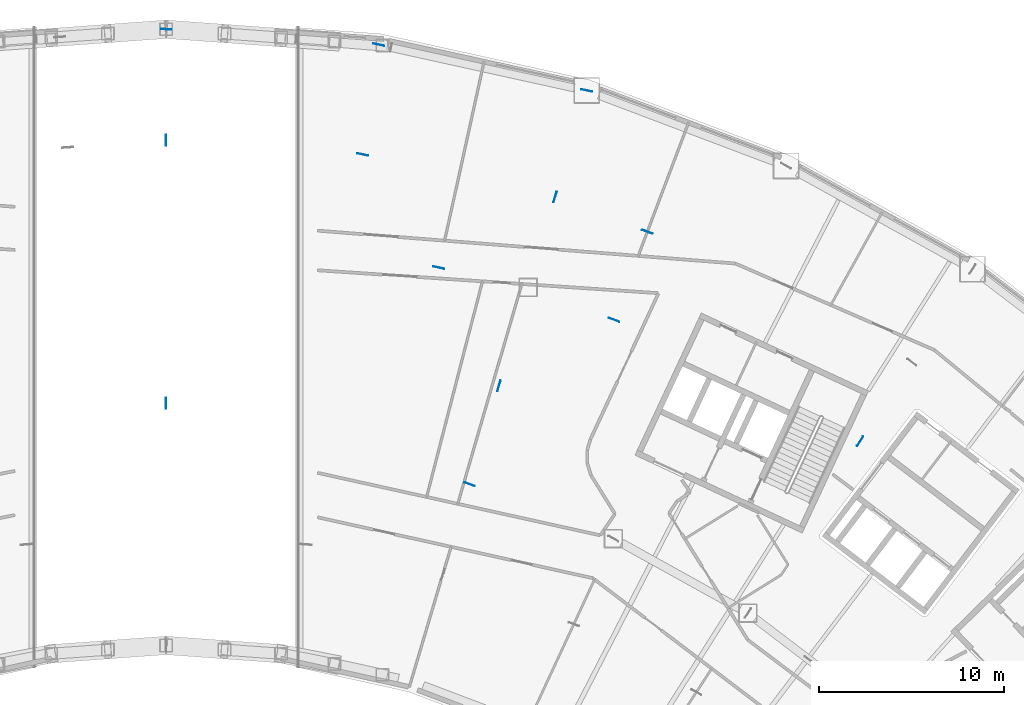
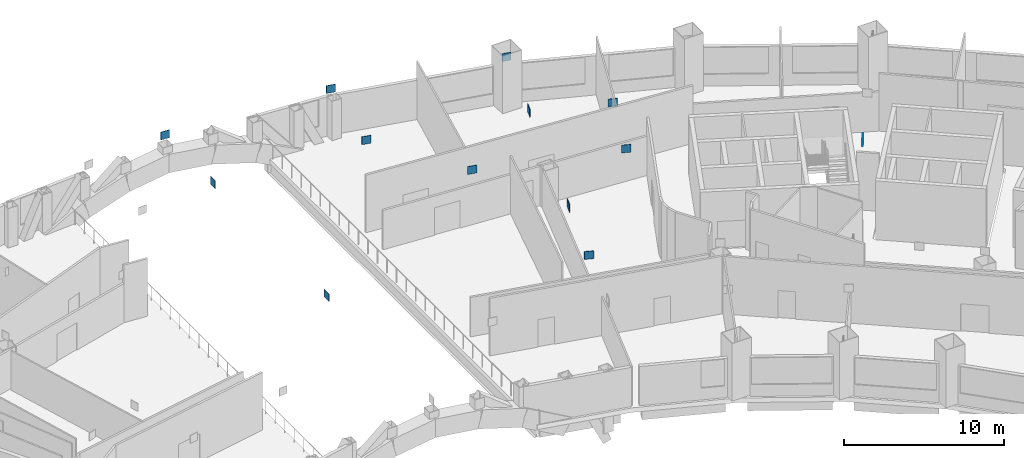
# One storey, part 21 of 24: 13 discrete accessories.
"""IFC4 building model written with IfcOpenShell, lengths in metres."""

import ifcopenshell
import ifcopenshell.guid

model = None  # the IFC model being written
_history = None  # IfcOwnerHistory: only IFC2X3 demands one
_inside = {}  # id of a spatial element -> (the spatial element, [elements in it])
_under = {}  # id of a project, library or spatial element -> (it, [spatial elements below it])
_declared = {}  # id of a project -> (the project, [libraries it declares])
_typed = {}  # id of a type object -> (the type object, [elements of that type])
_made_of = {}  # id of a material, layer set ... -> (it, [elements and type objects made of it])


def new_model(schema):
    """Start an empty IFC model of exactly this schema.

    Asked for "IFC4X3", IfcOpenShell would pick the latest addendum, in which some entities
    have other attributes; the version numbers below select the first issue.
    IFC2X3 requires an IfcOwnerHistory on every rooted entity: one is made here for all.
    """
    global model, _history
    if schema == "IFC4X3":
        model = ifcopenshell.file(schema_version=(4, 3, 0, 0))
    else:
        model = ifcopenshell.file(schema=schema)
    _inside.clear()
    _under.clear()
    _declared.clear()
    _typed.clear()
    _made_of.clear()
    _history = None
    if model.schema == "IFC2X3":
        org = make("IfcOrganization", Name="unknown")
        user = make(
            "IfcPersonAndOrganization",
            ThePerson=make("IfcPerson", FamilyName="unknown"),
            TheOrganization=org,
        )
        app = make(
            "IfcApplication",
            ApplicationDeveloper=org,
            Version="unknown",
            ApplicationFullName="unknown",
            ApplicationIdentifier="unknown",
        )
        _history = make(
            "IfcOwnerHistory",
            OwningUser=user,
            OwningApplication=app,
            ChangeAction="ADDED",
            CreationDate=0,
        )
    return model


def make(cls, **values):
    """One entity of the class cls with the attributes given. An attribute that is None is left unset."""
    return model.create_entity(
        cls, **{name: value for name, value in values.items() if value is not None}
    )


def rooted(cls, **values):
    """An entity with a GlobalId (a new one), such as an element, a storey or a relation."""
    return make(cls, GlobalId=ifcopenshell.guid.new(), OwnerHistory=_history, **values)


def si_unit(unit_type, name, prefix=None):
    """IfcSIUnit, for example si_unit("LENGTHUNIT", "METRE", prefix="MILLI")."""
    return make("IfcSIUnit", UnitType=unit_type, Prefix=prefix, Name=name)


def assignment(units):
    """IfcUnitAssignment: the units of a project."""
    return None if units is None else make("IfcUnitAssignment", Units=units)


def point(xyz):
    """IfcCartesianPoint."""
    return None if xyz is None else make("IfcCartesianPoint", Coordinates=xyz)


def direction(xyz):
    """IfcDirection."""
    return None if xyz is None else make("IfcDirection", DirectionRatios=xyz)


def frame(location, z_axis=None, x_axis=None):
    """IfcAxis2Placement3D, a coordinate frame: its origin and axes. An axis left out is left unset."""
    return make(
        "IfcAxis2Placement3D",
        Location=point(location),
        Axis=direction(z_axis),
        RefDirection=direction(x_axis),
    )


def frame_2d(location, x_axis=None):
    """IfcAxis2Placement2D, a coordinate frame in the plane: its origin and x axis."""
    return make(
        "IfcAxis2Placement2D", Location=point(location), RefDirection=direction(x_axis)
    )


def origin():
    """The frame at (0, 0, 0) with its axes left unset."""
    return frame((0.0, 0.0, 0.0))


def origin_2d():
    """The frame at (0, 0) in the plane with its x axis left unset."""
    return frame_2d((0.0, 0.0))


def place(relative_to, where):
    """IfcLocalPlacement: puts the frame where relative to a parent placement (None: the world)."""
    return make(
        "IfcLocalPlacement", PlacementRelTo=relative_to, RelativePlacement=where
    )


def context(
    kind, dimensions, precision=None, world=None, true_north=None, identifier=None
):
    """IfcGeometricRepresentationContext, for example the 3D "Model" context."""
    return make(
        "IfcGeometricRepresentationContext",
        ContextIdentifier=identifier,
        ContextType=kind,
        CoordinateSpaceDimension=dimensions,
        Precision=precision,
        WorldCoordinateSystem=world,
        TrueNorth=true_north,
    )


def subcontext(parent, identifier, kind, view, scale=None):
    """IfcGeometricRepresentationSubContext, for example "Body" below "Model"."""
    return make(
        "IfcGeometricRepresentationSubContext",
        ContextIdentifier=identifier,
        ContextType=kind,
        ParentContext=parent,
        TargetScale=scale,
        TargetView=view,
    )


def project(units=None, contexts=None):
    """IfcProject with its units and contexts."""
    return rooted(
        "IfcProject",
        Name="project",
        RepresentationContexts=contexts,
        UnitsInContext=assignment(units),
    )


def spatial(cls, under=None, at=None, **own):
    """A site, building, storey or space (cls), placed at a placement, below another one or the project."""
    s = rooted(cls, ObjectPlacement=at, **own)
    if under is not None:
        _under.setdefault(under.id(), (under, []))[1].append(s)
    return s


def profile(cls, at=None, kind="AREA", **sizes):
    """A parametric profile (cls). Its sizes go by their IFC names, for example OverallWidth=200.0."""
    return make(cls, ProfileType=kind, Position=at, **sizes)


def rectangle(**sizes):
    """IfcRectangleProfileDef."""
    return profile("IfcRectangleProfileDef", **sizes)


def extrude(swept, where, along, depth):
    """IfcExtrudedAreaSolid: the profile swept, set in the frame where, extruded along a direction by depth."""
    return make(
        "IfcExtrudedAreaSolid",
        SweptArea=swept,
        Position=where,
        ExtrudedDirection=direction(along),
        Depth=depth,
    )


def shape(context_of_items, identifier, shape_type, items):
    """IfcShapeRepresentation: the items that make up one representation, for example the "Body"."""
    return make(
        "IfcShapeRepresentation",
        ContextOfItems=context_of_items,
        RepresentationIdentifier=identifier,
        RepresentationType=shape_type,
        Items=items,
    )


def material(Name=None, Category=None):
    """IfcMaterial."""
    return make("IfcMaterial", Name=Name, Category=Category)


def made_of(thing, what):
    """Note that an element or type object is made of a material, layer set ...; save() writes the relation."""
    if what is not None:
        _made_of.setdefault(what.id(), (what, []))[1].append(thing)
    return thing


def type_object(cls, material=None, **own):
    """A type object (cls), such as IfcWallType, which elements share."""
    return made_of(rooted(cls, **own), material)


def element(
    cls,
    number,
    at=None,
    inside=None,
    cuts=None,
    type_object=None,
    material=None,
    context=None,
    identifier="Body",
    shape_type=None,
    held_by="IfcProductDefinitionShape",
    body=None,
    shapes=None,
    **own,
):
    """One element of the class cls, such as IfcWall. Its Tag is "e" and its number.

    at: its placement. inside: the storey or other place that contains it. cuts: it is an
    opening in that element (IfcRelVoidsElement). A single representation is given by context,
    identifier, shape_type and body (its items); several are given by shapes. held_by: the class
    of the entity that holds the representations. save() writes the other relations.
    """
    e = rooted(cls, Tag="e%d" % number, ObjectPlacement=at, **own)
    if body is not None:
        shapes = [shape(context, identifier, shape_type, body)]
    if shapes is not None:
        e.Representation = make(held_by, Representations=shapes)
    if inside is not None:
        _inside.setdefault(inside.id(), (inside, []))[1].append(e)
    if cuts is not None:
        rooted(
            "IfcRelVoidsElement", RelatingBuildingElement=cuts, RelatedOpeningElement=e
        )
    if type_object is not None:
        _typed.setdefault(type_object.id(), (type_object, []))[1].append(e)
    return made_of(e, material)


def aggregate(whole, parts):
    """IfcRelAggregates: a whole, such as a stair, and the parts it consists of."""
    return rooted("IfcRelAggregates", RelatingObject=whole, RelatedObjects=parts)


def save(model, path):
    """Write the relations noted so far, then the file.

    IfcRelAggregates (storeys below a building ...), IfcRelContainedInSpatialStructure (elements
    in a storey), IfcRelDefinesByType, IfcRelAssociatesMaterial and IfcRelDeclares: one each for
    every whole, place, type object, material and project.
    """
    for whole, parts in _under.values():
        aggregate(whole, parts)
    for where, things in _inside.values():
        rooted(
            "IfcRelContainedInSpatialStructure",
            RelatedElements=things,
            RelatingStructure=where,
        )
    for kind, things in _typed.values():
        rooted("IfcRelDefinesByType", RelatedObjects=things, RelatingType=kind)
    for what, things in _made_of.values():
        rooted("IfcRelAssociatesMaterial", RelatedObjects=things, RelatingMaterial=what)
    for by, libraries in _declared.values():
        rooted("IfcRelDeclares", RelatingContext=by, RelatedDefinitions=libraries)
    model.write(path)


model = new_model("IFC4")

# Units and contexts
model_context = context("Model", 3, precision=1e-05, world=origin(), true_north=direction((0.0, 1.0)))
body_context = subcontext(model_context, "Body", "Model", "MODEL_VIEW")
ifc_project = project(units=[si_unit("LENGTHUNIT", "METRE"), si_unit("AREAUNIT", "SQUARE_METRE"), si_unit("VOLUMEUNIT", "CUBIC_METRE"), si_unit("PLANEANGLEUNIT", "RADIAN"), si_unit("MASSUNIT", "GRAM", prefix="KILO")], contexts=[model_context])

# Site, building, storey
site_placement = place(None, origin())
site = spatial("IfcSite", under=ifc_project, at=site_placement, CompositionType="ELEMENT")
building_placement = place(site_placement, origin())
building = spatial("IfcBuilding", under=site, at=building_placement, Name="Tuul Gate Civic Tower", CompositionType="ELEMENT")
storey_placement = place(building_placement, frame((0.0, 0.0, 21.89990234375)))
storey = spatial("IfcBuildingStorey", under=building, at=storey_placement, Name="Level 04", CompositionType="ELEMENT", Elevation=21.89990234375)

# Discrete accessories
ifc_material = material(Name="Steel S355", Category="steel")
discrete_accessory_type = type_object("IfcDiscreteAccessoryType", Name="Gusset plate", PredefinedType="BRACKET", material=ifc_material)
for number, where, z_axis, x_axis, name in (
    (1, (21.0771484375, 10.8291015625, 3.396728515625), (0.0, 0.0, 1.0), (0.28519561857, 0.958469331355, 0.0), "Gusset plate"),
    (2, (-0.001953125, 13.898193359375, 3.39697265625), (0.0, 0.0, 1.0), (0.0, 1.0, 0.0), "Gusset plate"),
    (3, (18.031005859375, 0.594482421875, 3.396728515625), (0.0, 0.0, 1.0), (0.28519561857, 0.958469331355, 0.0), "Gusset plate"),
    (4, (0.0, -0.338623046875, 3.397216796875), (0.0, 0.0, 1.0), (0.0, 1.0, 0.0), "Gusset plate"),
    (5, (22.7919921875, 16.59521484375, 3.396728515625), (0.0, 0.0, 1.0), (-0.976566621246, 0.215215320711, 0.0), "Gusset plate"),
    (6, (11.51611328125, 19.080322265625, 3.396728515625), (0.0, 0.0, 1.0), (0.976566621246, -0.215215320711, 0.0), "Gusset plate"),
    (7, (10.64892578125, 13.127197265625, 3.396728515625), (0.0, 0.0, 1.0), (0.97656894253, -0.215204787319, 0.0), "Gusset plate"),
    (8, (14.76513671875, 6.99755859375, 3.396484375), (0.0, 0.0, 1.0), (-0.976565152543, 0.215221985028, 0.0), "Gusset plate"),
    (9, (24.26611328125, 4.17041015625, 3.396484375), (0.0, 0.0, 1.0), (-0.935366342935, 0.35368037054, 0.0), "Gusset plate"),
    (10, (37.604736328125, -2.40869140625, 3.396484375), (0.0, 0.0, 1.0), (0.546705342807, 0.837325067191, 0.0), "Gusset plate"),
    (11, (-0.00390625, 19.914306640625, 3.396728515625), (0.0, 0.0, 1.0), (0.997387871366, -0.072231807765, 0.0), "Gusset plate"),
    (12, (26.067138671875, 8.94189453125, 3.396728515625), (0.0, 0.0, 1.0), (0.935344038434, -0.353739352865, 0.0), "Gusset plate"),
    (13, (16.44091796875, -4.73779296875, 3.396240234375), (0.0, 0.0, 1.0), (0.935378577037, -0.353648013737, 0.0), "Gusset plate"),
):
    element("IfcDiscreteAccessory", number, at=place(storey_placement, frame(where, z_axis=z_axis, x_axis=x_axis)), inside=storey, type_object=discrete_accessory_type, Name=name, PredefinedType="BRACKET", context=body_context, shape_type="SweptSolid", body=[
        extrude(rectangle(XDim=0.60009765625, YDim=0.030029296875, at=origin_2d()), origin(), (0.0, 0.0, 1.0), 0.60009765625),
    ])

save(model, "model.ifc")
